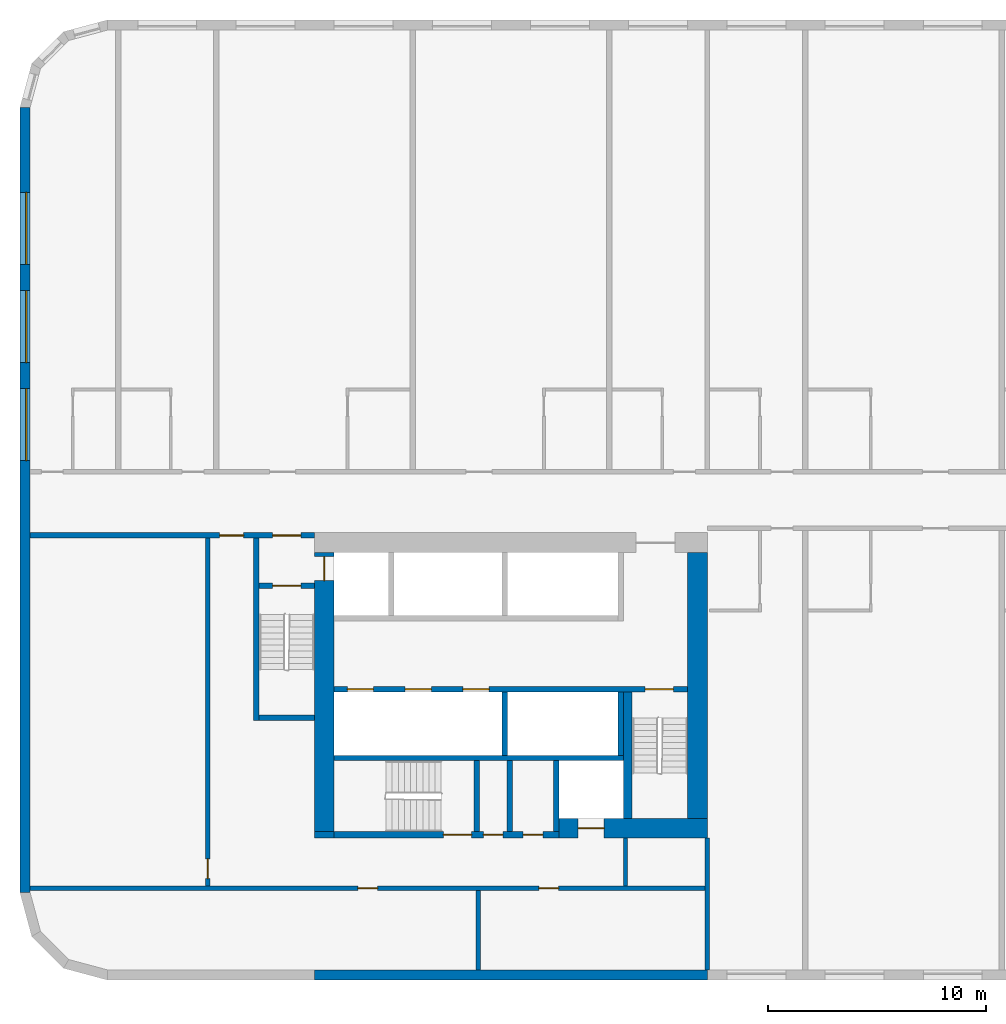
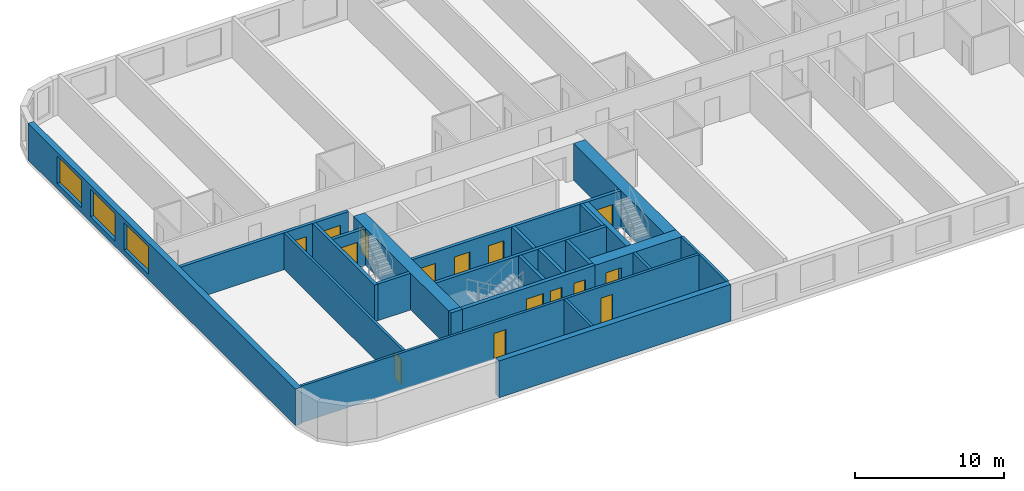
# One storey, part 2 of 12: 24 walls, 15 doors, 3 windows, 18 openings.
"""IFC4 building model written with IfcOpenShell, lengths in metres."""

from ifc_helpers import new_model, si_unit, direction, frame, frame_2d, origin, place, context, subcontext, project, spatial, rectangle, extrude, material, layer, layer_set, type_object, element, fill, save


model = new_model("IFC4")

# Units and contexts
model_context = context("Model", 3, precision=1e-05, world=origin(), true_north=direction((0.0, 1.0)))
body_context = subcontext(model_context, "Body", "Model", "MODEL_VIEW")
ifc_project = project(units=[si_unit("LENGTHUNIT", "METRE"), si_unit("AREAUNIT", "SQUARE_METRE"), si_unit("VOLUMEUNIT", "CUBIC_METRE"), si_unit("PLANEANGLEUNIT", "RADIAN"), si_unit("MASSUNIT", "GRAM", prefix="KILO")], contexts=[model_context])

# Site, building, storey
site_placement = place(None, origin())
site = spatial("IfcSite", under=ifc_project, at=site_placement, CompositionType="ELEMENT")
building_placement = place(site_placement, origin())
building = spatial("IfcBuilding", under=site, at=building_placement, Name="Kajstack Hotel Tower", CompositionType="ELEMENT")
storey_placement = place(building_placement, frame((0.0, 0.0, 63.300048828125)))
storey = spatial("IfcBuildingStorey", under=building, at=storey_placement, Name="L10", CompositionType="ELEMENT", Elevation=63.300048828125)

# Wall, opening, door
ifc_material_1 = material(Name="Concrete C60/75", Category="concrete")
ifc_layer_1 = layer(ifc_material_1, 0.89990234375)
ifc_layer_set_1 = layer_set([ifc_layer_1], Name="Core wall 900")
wall_type_1 = type_object("IfcWallType", Name="Core wall 900", PredefinedType="SHEAR", material=ifc_layer_set_1)
wall_1_placement = place(storey_placement, frame((-20.300048828125, -15.050048828125, 0.0), z_axis=(0.0, 0.0, 1.0), x_axis=(1.0, 0.0, 0.0)))
wall_1 = element("IfcWall", 1, at=wall_1_placement, inside=storey, type_object=wall_type_1, Name="Core wall W RS", PredefinedType="SHEAR", context=body_context, shape_type="SweptSolid", body=[
    extrude(rectangle(XDim=6.800048828125, YDim=0.89990234375, at=frame_2d((3.39990234375, 0.0))), origin(), (0.0, 0.0, 1.0), 3.02001953125),
])
opening_1_placement = place(wall_1_placement, frame((0.875, 0.0, 0.0)))
opening_1 = element("IfcOpeningElement", 2, at=opening_1_placement, cuts=wall_1, Name="Opening LD-SV1", PredefinedType="OPENING", context=body_context, shape_type="SweptSolid", body=[
    extrude(rectangle(XDim=1.199951171875, YDim=2.10009765625, at=frame_2d((0.60009765625, 1.050048828125))), frame((0.0, 0.4599609375, 0.0), z_axis=(0.0, -1.0, 0.0), x_axis=(1.0, 0.0, 0.0)), (0.0, 0.0, 1.0), 0.919921875),
])
ifc_material_2 = material(Name="Stainless steel", Category="steel")
door_type_1 = type_object("IfcDoorType", Name="Lift landing door 1200", OperationType="SLIDING_TO_LEFT", PredefinedType="DOOR", material=ifc_material_2)
door_1_placement = place(opening_1_placement, origin())
door_1 = element("IfcDoor", 3, at=door_1_placement, inside=storey, type_object=door_type_1, Name="Landing door SV1", OperationType="SLIDING_TO_LEFT", OverallHeight=2.10009765625, OverallWidth=1.199951171875, PredefinedType="DOOR", context=body_context, shape_type="SweptSolid", body=[
    extrude(rectangle(XDim=1.199951171875, YDim=2.10009765625, at=frame_2d((0.60009765625, 1.050048828125))), frame((0.0, 0.02490234375, 0.0), z_axis=(0.0, -1.0, 0.0), x_axis=(1.0, 0.0, 0.0)), (0.0, 0.0, 1.0), 0.050048828125),
])
fill(opening_1, door_1)

# Wall
wall_2_placement = place(storey_placement, frame((-31.5, -15.35009765625, 0.0), z_axis=(0.0, 0.0, 1.0), x_axis=(1.0, 0.0, 0.0)))
element("IfcWall", 4, at=wall_2_placement, inside=storey, type_object=wall_type_1, Name="Core wall W RSW", PredefinedType="SHEAR", context=body_context, shape_type="SweptSolid", body=[
    extrude(rectangle(XDim=0.89990234375, YDim=0.300048828125, at=frame_2d((0.449951171875, 0.0))), origin(), (0.0, 0.0, 1.0), 3.02001953125),
])

# Wall, opening, door
wall_3_placement = place(storey_placement, frame((-31.050048828125, -15.199951171875, 0.0), z_axis=(0.0, 0.0, 1.0), x_axis=(0.0, 1.0, 0.0)))
wall_3 = element("IfcWall", 5, at=wall_3_placement, inside=storey, type_object=wall_type_1, Name="Core wall W RW", PredefinedType="SHEAR", context=body_context, shape_type="SweptSolid", body=[
    extrude(rectangle(XDim=12.800048828125, YDim=0.89990234375, at=frame_2d((6.39990234375, 0.0))), origin(), (0.0, 0.0, 1.0), 3.02001953125),
])
opening_2_placement = place(wall_3_placement, frame((11.5, 0.0, 0.0)))
opening_2 = element("IfcOpeningElement", 6, at=opening_2_placement, cuts=wall_3, Name="Opening LD-FF1", PredefinedType="OPENING", context=body_context, shape_type="SweptSolid", body=[
    extrude(rectangle(XDim=1.10009765625, YDim=2.10009765625, at=frame_2d((0.550048828125, 1.050048828125))), frame((0.0, 0.4599609375, 0.0), z_axis=(0.0, -1.0, 0.0), x_axis=(1.0, 0.0, 0.0)), (0.0, 0.0, 1.0), 0.919921875),
])
door_type_2 = type_object("IfcDoorType", Name="Fire-fighting lift landing door 1100", OperationType="SLIDING_TO_LEFT", PredefinedType="DOOR", material=ifc_material_2)
door_2_placement = place(opening_2_placement, origin())
door_2 = element("IfcDoor", 7, at=door_2_placement, inside=storey, type_object=door_type_2, Name="Landing door FF1", OperationType="SLIDING_TO_RIGHT", OverallHeight=2.10009765625, OverallWidth=1.10009765625, PredefinedType="DOOR", context=body_context, shape_type="SweptSolid", body=[
    extrude(rectangle(XDim=1.10009765625, YDim=2.10009765625, at=frame_2d((0.550048828125, 1.050048828125))), frame((0.0, 0.02490234375, 0.0), z_axis=(0.0, -1.0, 0.0), x_axis=(1.0, 0.0, 0.0)), (0.0, 0.0, 1.0), 0.050048828125),
])
fill(opening_2, door_2)

# Walls
wall_4_placement = place(storey_placement, frame((-13.949951171875, -14.60009765625, 0.0), z_axis=(0.0, 0.0, 1.0), x_axis=(0.0, 1.0, 0.0)))
element("IfcWall", 8, at=wall_4_placement, inside=storey, type_object=wall_type_1, Name="Core wall W RE", PredefinedType="SHEAR", context=body_context, shape_type="SweptSolid", body=[
    extrude(rectangle(XDim=12.2001953125, YDim=0.89990234375, at=frame_2d((6.10009765625, 0.0))), origin(), (0.0, 0.0, 1.0), 3.02001953125),
])
ifc_material_3 = material(Name="Twin-frame gypsum board on steel studs, mineral wool", Category="steel")
ifc_layer_2 = layer(ifc_material_3, 0.199951171875)
ifc_layer_set_2 = layer_set([ifc_layer_2], Name="Demising wall 200")
wall_type_2 = type_object("IfcWallType", Name="Demising wall 200", PredefinedType="PARTITIONING", material=ifc_layer_set_2)
wall_5_placement = place(storey_placement, frame((-13.5, -21.550048828125, 0.0), z_axis=(0.0, 0.0, 1.0), x_axis=(0.0, 1.0, 0.0)))
element("IfcWall", 9, at=wall_5_placement, inside=storey, type_object=wall_type_2, Name="G-wall-L10-002", PredefinedType="PARTITIONING", context=body_context, shape_type="SweptSolid", body=[
    extrude(rectangle(XDim=6.050048828125, YDim=0.199951171875, at=frame_2d((3.02490234375, 0.0))), origin(), (0.0, 0.0, 1.0), 3.02001953125),
])
ifc_material_4 = material(Name="Concrete C40/50", Category="concrete")
ifc_layer_3 = layer(ifc_material_4, 0.449951171875)
ifc_layer_set_3 = layer_set([ifc_layer_3], Name="EW-CORE")
wall_type_3 = type_object("IfcWallType", Name="EW-CORE", PredefinedType="SOLIDWALL", material=ifc_layer_set_3)
wall_6_placement = place(storey_placement, frame((-31.5, -21.77490234375, 0.0), z_axis=(0.0, 0.0, 1.0), x_axis=(1.0, 0.0, 0.0)))
element("IfcWall", 10, at=wall_6_placement, inside=storey, type_object=wall_type_3, Name="E-wall-L10-03-01", PredefinedType="SOLIDWALL", context=body_context, shape_type="SweptSolid", body=[
    extrude(rectangle(XDim=18.0, YDim=0.449951171875, at=frame_2d((9.0, 0.0))), origin(), (0.0, 0.0, 1.0), 3.02001953125),
])

# Wall, openings, windows
ifc_material_5 = material(Name="Terracotta-faced brick masonry", Category="masonry")
ifc_layer_4 = layer(ifc_material_5, 0.449951171875)
ifc_layer_set_4 = layer_set([ifc_layer_4], Name="EW-TERRA")
wall_type_4 = type_object("IfcWallType", Name="EW-TERRA", PredefinedType="SOLIDWALL", material=ifc_layer_set_4)
wall_7_placement = place(storey_placement, frame((-44.77490234375, 18.0, 0.0), z_axis=(0.0, 0.0, 1.0), x_axis=(0.0, -1.0, 0.0)))
wall_7 = element("IfcWall", 11, at=wall_7_placement, inside=storey, type_object=wall_type_4, Name="E-wall-L10-15-00", PredefinedType="SOLIDWALL", context=body_context, shape_type="SweptSolid", body=[
    extrude(rectangle(XDim=36.0, YDim=0.449951171875, at=frame_2d((18.0, 0.0))), origin(), (0.0, 0.0, 1.0), 3.02001953125),
])
opening_3_placement = place(wall_7_placement, frame((3.89990234375, 0.0, 0.449951171875)))
opening_3 = element("IfcOpeningElement", 12, at=opening_3_placement, cuts=wall_7, Name="Opening W2", PredefinedType="OPENING", context=body_context, shape_type="SweptSolid", body=[
    extrude(rectangle(XDim=3.300048828125, YDim=2.25, at=frame_2d((1.64990234375, 1.125))), frame((0.0, 0.23486328125, 0.0), z_axis=(0.0, -1.0, 0.0), x_axis=(1.0, 0.0, 0.0)), (0.0, 0.0, 1.0), 0.469970703125),
])
opening_4_placement = place(wall_7_placement, frame((8.39990234375, 0.0, 0.449951171875)))
opening_4 = element("IfcOpeningElement", 13, at=opening_4_placement, cuts=wall_7, Name="Opening W2", PredefinedType="OPENING", context=body_context, shape_type="SweptSolid", body=[
    extrude(rectangle(XDim=3.300048828125, YDim=2.25, at=frame_2d((1.64990234375, 1.125))), frame((0.0, 0.23486328125, 0.0), z_axis=(0.0, -1.0, 0.0), x_axis=(1.0, 0.0, 0.0)), (0.0, 0.0, 1.0), 0.469970703125),
])
opening_5_placement = place(wall_7_placement, frame((12.89990234375, 0.0, 0.449951171875)))
opening_5 = element("IfcOpeningElement", 14, at=opening_5_placement, cuts=wall_7, Name="Opening W2", PredefinedType="OPENING", context=body_context, shape_type="SweptSolid", body=[
    extrude(rectangle(XDim=3.300048828125, YDim=2.25, at=frame_2d((1.64990234375, 1.125))), frame((0.0, 0.23486328125, 0.0), z_axis=(0.0, -1.0, 0.0), x_axis=(1.0, 0.0, 0.0)), (0.0, 0.0, 1.0), 0.469970703125),
])
ifc_material_6 = material(Name="Timber-aluminium window, triple glazed", Category="wood")
window_type = type_object("IfcWindowType", Name="WG2", PartitioningType="SINGLE_PANEL", PredefinedType="WINDOW", material=ifc_material_6)
window_1_placement = place(opening_3_placement, origin())
window_1 = element("IfcWindow", 15, at=window_1_placement, inside=storey, type_object=window_type, Name="Window W2 L10-15", OverallHeight=2.25, OverallWidth=3.300048828125, PartitioningType="SINGLE_PANEL", PredefinedType="WINDOW", context=body_context, shape_type="SweptSolid", body=[
    extrude(rectangle(XDim=3.300048828125, YDim=2.25, at=frame_2d((1.64990234375, 1.125))), frame((0.0, 0.090087890625, 0.0), z_axis=(0.0, -1.0, 0.0), x_axis=(1.0, 0.0, 0.0)), (0.0, 0.0, 1.0), 0.06005859375),
])
fill(opening_3, window_1)
window_2_placement = place(opening_4_placement, origin())
window_2 = element("IfcWindow", 16, at=window_2_placement, inside=storey, type_object=window_type, Name="Window W2 L10-15", OverallHeight=2.25, OverallWidth=3.300048828125, PartitioningType="SINGLE_PANEL", PredefinedType="WINDOW", context=body_context, shape_type="SweptSolid", body=[
    extrude(rectangle(XDim=3.300048828125, YDim=2.25, at=frame_2d((1.64990234375, 1.125))), frame((0.0, 0.090087890625, 0.0), z_axis=(0.0, -1.0, 0.0), x_axis=(1.0, 0.0, 0.0)), (0.0, 0.0, 1.0), 0.06005859375),
])
fill(opening_4, window_2)
window_3_placement = place(opening_5_placement, origin())
window_3 = element("IfcWindow", 17, at=window_3_placement, inside=storey, type_object=window_type, Name="Window W2 L10-15", OverallHeight=2.25, OverallWidth=3.300048828125, PartitioningType="SINGLE_PANEL", PredefinedType="WINDOW", context=body_context, shape_type="SweptSolid", body=[
    extrude(rectangle(XDim=3.300048828125, YDim=2.25, at=frame_2d((1.64990234375, 1.125))), frame((0.0, 0.090087890625, 0.0), z_axis=(0.0, -1.0, 0.0), x_axis=(1.0, 0.0, 0.0)), (0.0, 0.0, 1.0), 0.06005859375),
])
fill(opening_5, window_3)

# Walls
ifc_material_7 = material(Name="Concrete C50/60", Category="concrete")
ifc_layer_5 = layer(ifc_material_7, 0.300048828125)
ifc_layer_set_5 = layer_set([ifc_layer_5], Name="Hoistway divider wall 300")
wall_type_5 = type_object("IfcWallType", Name="Hoistway divider wall 300", PredefinedType="SHEAR", material=ifc_layer_set_5)
wall_8_placement = place(storey_placement, frame((-22.77490234375, -11.699951171875, 0.0), z_axis=(0.0, 0.0, 1.0), x_axis=(0.0, 1.0, 0.0)))
element("IfcWall", 18, at=wall_8_placement, inside=storey, type_object=wall_type_5, Name="Core wall W BP2", PredefinedType="SHEAR", context=body_context, shape_type="SweptSolid", body=[
    extrude(rectangle(XDim=2.89990234375, YDim=0.25, at=frame_2d((1.449951171875, 0.0))), origin(), (0.0, 0.0, 1.0), 3.02001953125),
])
ifc_material_8 = material(Name="Concrete block masonry", Category="masonry")
ifc_layer_6 = layer(ifc_material_8, 0.25)
ifc_layer_set_6 = layer_set([ifc_layer_6], Name="Riser partition 250")
wall_type_6 = type_object("IfcWallType", Name="Riser partition 250", PredefinedType="PARTITIONING", material=ifc_layer_set_6)
wall_9_placement = place(storey_placement, frame((-22.550048828125, -15.199951171875, 0.0), z_axis=(0.0, 0.0, 1.0), x_axis=(0.0, 1.0, 0.0)))
element("IfcWall", 19, at=wall_9_placement, inside=storey, type_object=wall_type_6, Name="Partition W SZ0", PredefinedType="PARTITIONING", context=body_context, shape_type="SweptSolid", body=[
    extrude(rectangle(XDim=3.25, YDim=0.25, at=frame_2d((1.625, 0.0))), origin(), (0.0, 0.0, 1.0), 3.02001953125),
])

# Wall, openings, doors
ifc_material_9 = material(Name="Gypsum board on steel studs, mineral wool", Category="steel")
ifc_layer_7 = layer(ifc_material_9, 0.199951171875)
ifc_layer_set_7 = layer_set([ifc_layer_7], Name="Service partition 200")
wall_type_7 = type_object("IfcWallType", Name="Service partition 200", PredefinedType="PARTITIONING", material=ifc_layer_set_7)
wall_10_placement = place(storey_placement, frame((-44.550048828125, -1.625, 0.0), z_axis=(0.0, 0.0, 1.0), x_axis=(1.0, 0.0, 0.0)))
wall_10 = element("IfcWall", 20, at=wall_10_placement, inside=storey, type_object=wall_type_7, Name="Partition W SN", PredefinedType="PARTITIONING", context=body_context, shape_type="SweptSolid", body=[
    extrude(rectangle(XDim=13.050048828125, YDim=0.25, at=frame_2d((6.52490234375, 0.0))), origin(), (0.0, 0.0, 1.0), 3.02001953125),
])
opening_6_placement = place(wall_10_placement, frame((11.125, 0.0, 0.0)))
opening_6 = element("IfcOpeningElement", 21, at=opening_6_placement, cuts=wall_10, Name="Opening 10W07", PredefinedType="OPENING", context=body_context, shape_type="SweptSolid", body=[
    extrude(rectangle(XDim=1.300048828125, YDim=2.10009765625, at=frame_2d((0.64990234375, 1.050048828125))), frame((0.0, 0.135009765625, 0.0), z_axis=(0.0, -1.0, 0.0), x_axis=(1.0, 0.0, 0.0)), (0.0, 0.0, 1.0), 0.27001953125),
])
opening_7_placement = place(wall_10_placement, frame((8.699951171875, 0.0, 0.0)))
opening_7 = element("IfcOpeningElement", 22, at=opening_7_placement, cuts=wall_10, Name="Opening 10W09", PredefinedType="OPENING", context=body_context, shape_type="SweptSolid", body=[
    extrude(rectangle(XDim=1.10009765625, YDim=2.10009765625, at=frame_2d((0.550048828125, 1.050048828125))), frame((0.0, 0.135009765625, 0.0), z_axis=(0.0, -1.0, 0.0), x_axis=(1.0, 0.0, 0.0)), (0.0, 0.0, 1.0), 0.27001953125),
])
ifc_material_10 = material(Name="Steel leaf, fire-rated", Category="steel")
door_type_3 = type_object("IfcDoorType", Name="Fire lobby door 1300", OperationType="SINGLE_SWING_LEFT", PredefinedType="DOOR", material=ifc_material_10)
door_3_placement = place(opening_6_placement, origin())
door_3 = element("IfcDoor", 23, at=door_3_placement, inside=storey, type_object=door_type_3, Name="Door 10W07", OperationType="SINGLE_SWING_RIGHT", OverallHeight=2.10009765625, OverallWidth=1.300048828125, PredefinedType="DOOR", context=body_context, shape_type="SweptSolid", body=[
    extrude(rectangle(XDim=1.300048828125, YDim=2.10009765625, at=frame_2d((0.64990234375, 1.050048828125))), frame((0.0, 0.02490234375, 0.0), z_axis=(0.0, -1.0, 0.0), x_axis=(1.0, 0.0, 0.0)), (0.0, 0.0, 1.0), 0.050048828125),
])
fill(opening_6, door_3)
ifc_material_11 = material(Name="Timber leaf, fire-rated", Category="wood")
door_type_4 = type_object("IfcDoorType", Name="Service corridor door 1100", OperationType="SINGLE_SWING_LEFT", PredefinedType="DOOR", material=ifc_material_11)
door_4_placement = place(opening_7_placement, origin())
door_4 = element("IfcDoor", 24, at=door_4_placement, inside=storey, type_object=door_type_4, Name="Door 10W09", OperationType="SINGLE_SWING_RIGHT", OverallHeight=2.10009765625, OverallWidth=1.10009765625, PredefinedType="DOOR", context=body_context, shape_type="SweptSolid", body=[
    extrude(rectangle(XDim=1.10009765625, YDim=2.10009765625, at=frame_2d((0.550048828125, 1.050048828125))), frame((0.0, 0.02490234375, 0.0), z_axis=(0.0, -1.0, 0.0), x_axis=(1.0, 0.0, 0.0)), (0.0, 0.0, 1.0), 0.050048828125),
])
fill(opening_7, door_4)

# Wall
wall_11_placement = place(storey_placement, frame((-17.25, -17.699951171875, 0.0), z_axis=(0.0, 0.0, 1.0), x_axis=(0.0, 1.0, 0.0)))
element("IfcWall", 25, at=wall_11_placement, inside=storey, type_object=wall_type_7, Name="Partition W SCE", PredefinedType="PARTITIONING", context=body_context, shape_type="SweptSolid", body=[
    extrude(rectangle(XDim=2.199951171875, YDim=0.199951171875, at=frame_2d((1.10009765625, 0.0))), origin(), (0.0, 0.0, 1.0), 3.02001953125),
])

# Wall, opening, door
wall_12_placement = place(storey_placement, frame((-36.39990234375, -17.699951171875, 0.0), z_axis=(0.0, 0.0, 1.0), x_axis=(0.0, 1.0, 0.0)))
wall_12 = element("IfcWall", 26, at=wall_12_placement, inside=storey, type_object=wall_type_7, Name="Partition W WRE", PredefinedType="PARTITIONING", context=body_context, shape_type="SweptSolid", body=[
    extrude(rectangle(XDim=15.949951171875, YDim=0.199951171875, at=frame_2d((7.97509765625, 0.0))), origin(), (0.0, 0.0, 1.0), 3.02001953125),
])
opening_8_placement = place(wall_12_placement, frame((0.35009765625, 0.0, 0.0)))
opening_8 = element("IfcOpeningElement", 27, at=opening_8_placement, cuts=wall_12, Name="Opening 10W16", PredefinedType="OPENING", context=body_context, shape_type="SweptSolid", body=[
    extrude(rectangle(XDim=0.89990234375, YDim=2.10009765625, at=frame_2d((0.449951171875, 1.050048828125))), frame((0.0, 0.10986328125, 0.0), z_axis=(0.0, -1.0, 0.0), x_axis=(1.0, 0.0, 0.0)), (0.0, 0.0, 1.0), 0.219970703125),
])
door_type_5 = type_object("IfcDoorType", Name="Service door 900", OperationType="SINGLE_SWING_LEFT", PredefinedType="DOOR", material=ifc_material_11)
door_5_placement = place(opening_8_placement, origin())
door_5 = element("IfcDoor", 28, at=door_5_placement, inside=storey, type_object=door_type_5, Name="Door 10W16", OperationType="SINGLE_SWING_LEFT", OverallHeight=2.10009765625, OverallWidth=0.89990234375, PredefinedType="DOOR", context=body_context, shape_type="SweptSolid", body=[
    extrude(rectangle(XDim=0.89990234375, YDim=2.10009765625, at=frame_2d((0.449951171875, 1.050048828125))), frame((0.0, 0.02490234375, 0.0), z_axis=(0.0, -1.0, 0.0), x_axis=(1.0, 0.0, 0.0)), (0.0, 0.0, 1.0), 0.050048828125),
])
fill(opening_8, door_5)

# Wall, openings, doors
wall_13_placement = place(storey_placement, frame((-44.550048828125, -17.800048828125, 0.0), z_axis=(0.0, 0.0, 1.0), x_axis=(1.0, 0.0, 0.0)))
wall_13 = element("IfcWall", 29, at=wall_13_placement, inside=storey, type_object=wall_type_7, Name="Partition W SLN", PredefinedType="PARTITIONING", context=body_context, shape_type="SweptSolid", body=[
    extrude(rectangle(XDim=30.949951171875, YDim=0.199951171875, at=frame_2d((15.47509765625, 0.0))), origin(), (0.0, 0.0, 1.0), 3.02001953125),
])
opening_9_placement = place(wall_13_placement, frame((15.03759765625, 0.0, 0.0)))
opening_9 = element("IfcOpeningElement", 30, at=opening_9_placement, cuts=wall_13, Name="Opening 10W14", PredefinedType="OPENING", context=body_context, shape_type="SweptSolid", body=[
    extrude(rectangle(XDim=0.89990234375, YDim=2.10009765625, at=frame_2d((0.449951171875, 1.050048828125))), frame((0.0, 0.10986328125, 0.0), z_axis=(0.0, -1.0, 0.0), x_axis=(1.0, 0.0, 0.0)), (0.0, 0.0, 1.0), 0.219970703125),
])
opening_10_placement = place(wall_13_placement, frame((23.33740234375, 0.0, 0.0)))
opening_10 = element("IfcOpeningElement", 31, at=opening_10_placement, cuts=wall_13, Name="Opening 10W15", PredefinedType="OPENING", context=body_context, shape_type="SweptSolid", body=[
    extrude(rectangle(XDim=0.89990234375, YDim=2.10009765625, at=frame_2d((0.449951171875, 1.050048828125))), frame((0.0, 0.10986328125, 0.0), z_axis=(0.0, -1.0, 0.0), x_axis=(1.0, 0.0, 0.0)), (0.0, 0.0, 1.0), 0.219970703125),
])
door_6_placement = place(opening_9_placement, origin())
door_6 = element("IfcDoor", 32, at=door_6_placement, inside=storey, type_object=door_type_5, Name="Door 10W14", OperationType="SINGLE_SWING_RIGHT", OverallHeight=2.10009765625, OverallWidth=0.89990234375, PredefinedType="DOOR", context=body_context, shape_type="SweptSolid", body=[
    extrude(rectangle(XDim=0.89990234375, YDim=2.10009765625, at=frame_2d((0.449951171875, 1.050048828125))), frame((0.0, 0.02490234375, 0.0), z_axis=(0.0, -1.0, 0.0), x_axis=(1.0, 0.0, 0.0)), (0.0, 0.0, 1.0), 0.050048828125),
])
fill(opening_9, door_6)
door_7_placement = place(opening_10_placement, origin())
door_7 = element("IfcDoor", 33, at=door_7_placement, inside=storey, type_object=door_type_5, Name="Door 10W15", OperationType="SINGLE_SWING_RIGHT", OverallHeight=2.10009765625, OverallWidth=0.89990234375, PredefinedType="DOOR", context=body_context, shape_type="SweptSolid", body=[
    extrude(rectangle(XDim=0.89990234375, YDim=2.10009765625, at=frame_2d((0.449951171875, 1.050048828125))), frame((0.0, 0.02490234375, 0.0), z_axis=(0.0, -1.0, 0.0), x_axis=(1.0, 0.0, 0.0)), (0.0, 0.0, 1.0), 0.050048828125),
])
fill(opening_10, door_7)

# Wall
wall_14_placement = place(storey_placement, frame((-24.0, -21.550048828125, 0.0), z_axis=(0.0, 0.0, 1.0), x_axis=(0.0, 1.0, 0.0)))
element("IfcWall", 34, at=wall_14_placement, inside=storey, type_object=wall_type_7, Name="Partition W SLP0", PredefinedType="PARTITIONING", context=body_context, shape_type="SweptSolid", body=[
    extrude(rectangle(XDim=3.650146484375, YDim=0.199951171875, at=frame_2d((1.8251953125, 0.0))), origin(), (0.0, 0.0, 1.0), 3.02001953125),
])

# Wall, openings, doors
ifc_layer_8 = layer(ifc_material_7, 0.25)
ifc_layer_set_8 = layer_set([ifc_layer_8], Name="Shaft wall 250")
wall_type_8 = type_object("IfcWallType", Name="Shaft wall 250", PredefinedType="SHEAR", material=ifc_layer_set_8)
wall_15_placement = place(storey_placement, frame((-30.60009765625, -15.35009765625, 0.0), z_axis=(0.0, 0.0, 1.0), x_axis=(1.0, 0.0, 0.0)))
wall_15 = element("IfcWall", 35, at=wall_15_placement, inside=storey, type_object=wall_type_8, Name="Core wall W RSS", PredefinedType="SHEAR", context=body_context, shape_type="SweptSolid", body=[
    extrude(rectangle(XDim=10.300048828125, YDim=0.300048828125, at=frame_2d((5.14990234375, 0.0))), origin(), (0.0, 0.0, 1.0), 3.02001953125),
])
opening_11_placement = place(wall_15_placement, frame((5.0, 0.0, 0.0)))
opening_11 = element("IfcOpeningElement", 36, at=opening_11_placement, cuts=wall_15, Name="Opening 10W11", PredefinedType="OPENING", context=body_context, shape_type="SweptSolid", body=[
    extrude(rectangle(XDim=1.300048828125, YDim=2.10009765625, at=frame_2d((0.64990234375, 1.050048828125))), frame((0.0, 0.159912109375, 0.0), z_axis=(0.0, -1.0, 0.0), x_axis=(1.0, 0.0, 0.0)), (0.0, 0.0, 1.0), 0.320068359375),
])
opening_12_placement = place(wall_15_placement, frame((6.83740234375, 0.0, 0.0)))
opening_12 = element("IfcOpeningElement", 37, at=opening_12_placement, cuts=wall_15, Name="Opening 10W12", PredefinedType="OPENING", context=body_context, shape_type="SweptSolid", body=[
    extrude(rectangle(XDim=0.89990234375, YDim=2.10009765625, at=frame_2d((0.449951171875, 1.050048828125))), frame((0.0, 0.159912109375, 0.0), z_axis=(0.0, -1.0, 0.0), x_axis=(1.0, 0.0, 0.0)), (0.0, 0.0, 1.0), 0.320068359375),
])
opening_13_placement = place(wall_15_placement, frame((8.66259765625, 0.0, 0.0)))
opening_13 = element("IfcOpeningElement", 38, at=opening_13_placement, cuts=wall_15, Name="Opening 10W13", PredefinedType="OPENING", context=body_context, shape_type="SweptSolid", body=[
    extrude(rectangle(XDim=0.89990234375, YDim=2.10009765625, at=frame_2d((0.449951171875, 1.050048828125))), frame((0.0, 0.159912109375, 0.0), z_axis=(0.0, -1.0, 0.0), x_axis=(1.0, 0.0, 0.0)), (0.0, 0.0, 1.0), 0.320068359375),
])
door_type_6 = type_object("IfcDoorType", Name="Riser door 900", OperationType="SINGLE_SWING_LEFT", PredefinedType="DOOR", material=ifc_material_10)
door_8_placement = place(opening_13_placement, origin())
door_8 = element("IfcDoor", 39, at=door_8_placement, inside=storey, type_object=door_type_6, Name="Door 10W13", OperationType="SINGLE_SWING_LEFT", OverallHeight=2.10009765625, OverallWidth=0.89990234375, PredefinedType="DOOR", context=body_context, shape_type="SweptSolid", body=[
    extrude(rectangle(XDim=0.89990234375, YDim=2.10009765625, at=frame_2d((0.449951171875, 1.050048828125))), frame((0.0, 0.02490234375, 0.0), z_axis=(0.0, -1.0, 0.0), x_axis=(1.0, 0.0, 0.0)), (0.0, 0.0, 1.0), 0.050048828125),
])
fill(opening_13, door_8)
door_9_placement = place(opening_12_placement, origin())
door_9 = element("IfcDoor", 40, at=door_9_placement, inside=storey, type_object=door_type_5, Name="Door 10W12", OperationType="SINGLE_SWING_LEFT", OverallHeight=2.10009765625, OverallWidth=0.89990234375, PredefinedType="DOOR", context=body_context, shape_type="SweptSolid", body=[
    extrude(rectangle(XDim=0.89990234375, YDim=2.10009765625, at=frame_2d((0.449951171875, 1.050048828125))), frame((0.0, 0.02490234375, 0.0), z_axis=(0.0, -1.0, 0.0), x_axis=(1.0, 0.0, 0.0)), (0.0, 0.0, 1.0), 0.050048828125),
])
fill(opening_12, door_9)
door_type_7 = type_object("IfcDoorType", Name="Stair door 1300", OperationType="SINGLE_SWING_LEFT", PredefinedType="DOOR", material=ifc_material_10)
door_10_placement = place(opening_11_placement, origin())
door_10 = element("IfcDoor", 41, at=door_10_placement, inside=storey, type_object=door_type_7, Name="Door 10W11", OperationType="SINGLE_SWING_RIGHT", OverallHeight=2.10009765625, OverallWidth=1.300048828125, PredefinedType="DOOR", context=body_context, shape_type="SweptSolid", body=[
    extrude(rectangle(XDim=1.300048828125, YDim=2.10009765625, at=frame_2d((0.64990234375, 1.050048828125))), frame((0.0, 0.02490234375, 0.0), z_axis=(0.0, -1.0, 0.0), x_axis=(1.0, 0.0, 0.0)), (0.0, 0.0, 1.0), 0.050048828125),
])
fill(opening_11, door_10)

wall_16_placement = place(storey_placement, frame((-30.60009765625, -8.675048828125, 0.0), z_axis=(0.0, 0.0, 1.0), x_axis=(1.0, 0.0, 0.0)))
wall_16 = element("IfcWall", 42, at=wall_16_placement, inside=storey, type_object=wall_type_8, Name="Core wall W FB", PredefinedType="SHEAR", context=body_context, shape_type="SweptSolid", body=[
    extrude(rectangle(XDim=16.2001953125, YDim=0.25, at=frame_2d((8.10009765625, 0.0))), origin(), (0.0, 0.0, 1.0), 3.02001953125),
])
opening_14_placement = place(wall_16_placement, frame((0.60009765625, 0.0, 0.0)))
opening_14 = element("IfcOpeningElement", 43, at=opening_14_placement, cuts=wall_16, Name="Opening LD-LR1", PredefinedType="OPENING", context=body_context, shape_type="SweptSolid", body=[
    extrude(rectangle(XDim=1.199951171875, YDim=2.10009765625, at=frame_2d((0.60009765625, 1.050048828125))), frame((0.0, 0.135009765625, 0.0), z_axis=(0.0, -1.0, 0.0), x_axis=(1.0, 0.0, 0.0)), (0.0, 0.0, 1.0), 0.27001953125),
])
opening_15_placement = place(wall_16_placement, frame((3.25, 0.0, 0.0)))
opening_15 = element("IfcOpeningElement", 44, at=opening_15_placement, cuts=wall_16, Name="Opening LD-LR2", PredefinedType="OPENING", context=body_context, shape_type="SweptSolid", body=[
    extrude(rectangle(XDim=1.199951171875, YDim=2.10009765625, at=frame_2d((0.60009765625, 1.050048828125))), frame((0.0, 0.135009765625, 0.0), z_axis=(0.0, -1.0, 0.0), x_axis=(1.0, 0.0, 0.0)), (0.0, 0.0, 1.0), 0.27001953125),
])
opening_16_placement = place(wall_16_placement, frame((5.89990234375, 0.0, 0.0)))
opening_16 = element("IfcOpeningElement", 45, at=opening_16_placement, cuts=wall_16, Name="Opening LD-LR3", PredefinedType="OPENING", context=body_context, shape_type="SweptSolid", body=[
    extrude(rectangle(XDim=1.199951171875, YDim=2.10009765625, at=frame_2d((0.60009765625, 1.050048828125))), frame((0.0, 0.135009765625, 0.0), z_axis=(0.0, -1.0, 0.0), x_axis=(1.0, 0.0, 0.0)), (0.0, 0.0, 1.0), 0.27001953125),
])
opening_17_placement = place(wall_16_placement, frame((14.25, 0.0, 0.0)))
opening_17 = element("IfcOpeningElement", 46, at=opening_17_placement, cuts=wall_16, Name="Opening 10W10", PredefinedType="OPENING", context=body_context, shape_type="SweptSolid", body=[
    extrude(rectangle(XDim=1.300048828125, YDim=2.10009765625, at=frame_2d((0.64990234375, 1.050048828125))), frame((0.0, 0.135009765625, 0.0), z_axis=(0.0, -1.0, 0.0), x_axis=(1.0, 0.0, 0.0)), (0.0, 0.0, 1.0), 0.27001953125),
])
door_11_placement = place(opening_14_placement, origin())
door_11 = element("IfcDoor", 47, at=door_11_placement, inside=storey, type_object=door_type_1, Name="Landing door LR1", OperationType="SLIDING_TO_LEFT", OverallHeight=2.10009765625, OverallWidth=1.199951171875, PredefinedType="DOOR", context=body_context, shape_type="SweptSolid", body=[
    extrude(rectangle(XDim=1.199951171875, YDim=2.10009765625, at=frame_2d((0.60009765625, 1.050048828125))), frame((0.0, 0.02490234375, 0.0), z_axis=(0.0, -1.0, 0.0), x_axis=(1.0, 0.0, 0.0)), (0.0, 0.0, 1.0), 0.050048828125),
])
fill(opening_14, door_11)
door_12_placement = place(opening_15_placement, origin())
door_12 = element("IfcDoor", 48, at=door_12_placement, inside=storey, type_object=door_type_1, Name="Landing door LR2", OperationType="SLIDING_TO_RIGHT", OverallHeight=2.10009765625, OverallWidth=1.199951171875, PredefinedType="DOOR", context=body_context, shape_type="SweptSolid", body=[
    extrude(rectangle(XDim=1.199951171875, YDim=2.10009765625, at=frame_2d((0.60009765625, 1.050048828125))), frame((0.0, 0.02490234375, 0.0), z_axis=(0.0, -1.0, 0.0), x_axis=(1.0, 0.0, 0.0)), (0.0, 0.0, 1.0), 0.050048828125),
])
fill(opening_15, door_12)
door_13_placement = place(opening_16_placement, origin())
door_13 = element("IfcDoor", 49, at=door_13_placement, inside=storey, type_object=door_type_1, Name="Landing door LR3", OperationType="SLIDING_TO_RIGHT", OverallHeight=2.10009765625, OverallWidth=1.199951171875, PredefinedType="DOOR", context=body_context, shape_type="SweptSolid", body=[
    extrude(rectangle(XDim=1.199951171875, YDim=2.10009765625, at=frame_2d((0.60009765625, 1.050048828125))), frame((0.0, 0.02490234375, 0.0), z_axis=(0.0, -1.0, 0.0), x_axis=(1.0, 0.0, 0.0)), (0.0, 0.0, 1.0), 0.050048828125),
])
fill(opening_16, door_13)
door_14_placement = place(opening_17_placement, origin())
door_14 = element("IfcDoor", 50, at=door_14_placement, inside=storey, type_object=door_type_7, Name="Door 10W10", OperationType="SINGLE_SWING_RIGHT", OverallHeight=2.10009765625, OverallWidth=1.300048828125, PredefinedType="DOOR", context=body_context, shape_type="SweptSolid", body=[
    extrude(rectangle(XDim=1.300048828125, YDim=2.10009765625, at=frame_2d((0.64990234375, 1.050048828125))), frame((0.0, 0.02490234375, 0.0), z_axis=(0.0, -1.0, 0.0), x_axis=(1.0, 0.0, 0.0)), (0.0, 0.0, 1.0), 0.050048828125),
])
fill(opening_17, door_14)

# Walls
wall_17_placement = place(storey_placement, frame((-30.60009765625, -11.824951171875, 0.0), z_axis=(0.0, 0.0, 1.0), x_axis=(1.0, 0.0, 0.0)))
element("IfcWall", 51, at=wall_17_placement, inside=storey, type_object=wall_type_8, Name="Core wall W RB", PredefinedType="SHEAR", context=body_context, shape_type="SweptSolid", body=[
    extrude(rectangle(XDim=13.25, YDim=0.25, at=frame_2d((6.625, 0.0))), origin(), (0.0, 0.0, 1.0), 3.02001953125),
])
wall_18_placement = place(storey_placement, frame((-17.47509765625, -11.699951171875, 0.0), z_axis=(0.0, 0.0, 1.0), x_axis=(0.0, 1.0, 0.0)))
element("IfcWall", 52, at=wall_18_placement, inside=storey, type_object=wall_type_8, Name="Core wall W BE", PredefinedType="SHEAR", context=body_context, shape_type="SweptSolid", body=[
    extrude(rectangle(XDim=2.89990234375, YDim=0.25, at=frame_2d((1.449951171875, 0.0))), origin(), (0.0, 0.0, 1.0), 3.02001953125),
])
wall_19_placement = place(storey_placement, frame((-20.425048828125, -15.199951171875, 0.0), z_axis=(0.0, 0.0, 1.0), x_axis=(0.0, 1.0, 0.0)))
element("IfcWall", 53, at=wall_19_placement, inside=storey, type_object=wall_type_8, Name="Core wall W SVW", PredefinedType="SHEAR", context=body_context, shape_type="SweptSolid", body=[
    extrude(rectangle(XDim=3.25, YDim=0.25, at=frame_2d((1.625, 0.0))), origin(), (0.0, 0.0, 1.0), 3.02001953125),
])

# Wall, opening, door
ifc_layer_9 = layer(ifc_material_4, 0.25)
ifc_layer_set_9 = layer_set([ifc_layer_9], Name="Stair enclosure wall 250")
wall_type_9 = type_object("IfcWallType", Name="Stair enclosure wall 250", PredefinedType="SHEAR", material=ifc_layer_set_9)
wall_20_placement = place(storey_placement, frame((-34.050048828125, -3.925048828125, 0.0), z_axis=(0.0, 0.0, 1.0), x_axis=(1.0, 0.0, 0.0)))
wall_20 = element("IfcWall", 54, at=wall_20_placement, inside=storey, type_object=wall_type_9, Name="Core wall W W1N", PredefinedType="SHEAR", context=body_context, shape_type="SweptSolid", body=[
    extrude(rectangle(XDim=2.550048828125, YDim=0.25, at=frame_2d((1.27490234375, 0.0))), origin(), (0.0, 0.0, 1.0), 3.02001953125),
])
opening_18_placement = place(wall_20_placement, frame((0.625, 0.0, 0.0)))
opening_18 = element("IfcOpeningElement", 55, at=opening_18_placement, cuts=wall_20, Name="Opening 10W08", PredefinedType="OPENING", context=body_context, shape_type="SweptSolid", body=[
    extrude(rectangle(XDim=1.300048828125, YDim=2.10009765625, at=frame_2d((0.64990234375, 1.050048828125))), frame((0.0, 0.135009765625, 0.0), z_axis=(0.0, -1.0, 0.0), x_axis=(1.0, 0.0, 0.0)), (0.0, 0.0, 1.0), 0.27001953125),
])
door_15_placement = place(opening_18_placement, origin())
door_15 = element("IfcDoor", 56, at=door_15_placement, inside=storey, type_object=door_type_7, Name="Door 10W08", OperationType="SINGLE_SWING_RIGHT", OverallHeight=2.10009765625, OverallWidth=1.300048828125, PredefinedType="DOOR", context=body_context, shape_type="SweptSolid", body=[
    extrude(rectangle(XDim=1.300048828125, YDim=2.10009765625, at=frame_2d((0.64990234375, 1.050048828125))), frame((0.0, 0.02490234375, 0.0), z_axis=(0.0, -1.0, 0.0), x_axis=(1.0, 0.0, 0.0)), (0.0, 0.0, 1.0), 0.050048828125),
])
fill(opening_18, door_15)

# Walls
wall_21_placement = place(storey_placement, frame((-34.175048828125, -10.10009765625, 0.0), z_axis=(0.0, 0.0, 1.0), x_axis=(0.0, 1.0, 0.0)))
element("IfcWall", 57, at=wall_21_placement, inside=storey, type_object=wall_type_9, Name="Core wall W W1W", PredefinedType="SHEAR", context=body_context, shape_type="SweptSolid", body=[
    extrude(rectangle(XDim=8.35009765625, YDim=0.25, at=frame_2d((4.175048828125, 0.0))), origin(), (0.0, 0.0, 1.0), 3.02001953125),
])
wall_22_placement = place(storey_placement, frame((-34.050048828125, -9.97509765625, 0.0), z_axis=(0.0, 0.0, 1.0), x_axis=(1.0, 0.0, 0.0)))
element("IfcWall", 58, at=wall_22_placement, inside=storey, type_object=wall_type_9, Name="Core wall W W1S", PredefinedType="SHEAR", context=body_context, shape_type="SweptSolid", body=[
    extrude(rectangle(XDim=2.550048828125, YDim=0.25, at=frame_2d((1.27490234375, 0.0))), origin(), (0.0, 0.0, 1.0), 3.02001953125),
])
ifc_layer_10 = layer(ifc_material_7, 0.35009765625)
ifc_layer_set_10 = layer_set([ifc_layer_10], Name="Stair enclosure wall 350")
wall_type_10 = type_object("IfcWallType", Name="Stair enclosure wall 350", PredefinedType="SHEAR", material=ifc_layer_set_10)
wall_23_placement = place(storey_placement, frame((-24.074951171875, -15.199951171875, 0.0), z_axis=(0.0, 0.0, 1.0), x_axis=(0.0, 1.0, 0.0)))
element("IfcWall", 59, at=wall_23_placement, inside=storey, type_object=wall_type_10, Name="Core wall W W3E", PredefinedType="SHEAR", context=body_context, shape_type="SweptSolid", body=[
    extrude(rectangle(XDim=3.25, YDim=0.25, at=frame_2d((1.625, 0.0))), origin(), (0.0, 0.0, 1.0), 3.02001953125),
])
ifc_layer_11 = layer(ifc_material_7, 0.39990234375)
ifc_layer_set_11 = layer_set([ifc_layer_11], Name="Stair wall 400")
wall_type_11 = type_object("IfcWallType", Name="Stair wall 400", PredefinedType="SHEAR", material=ifc_layer_set_11)
wall_24_placement = place(storey_placement, frame((-17.14990234375, -14.60009765625, 0.0), z_axis=(0.0, 0.0, 1.0), x_axis=(0.0, 1.0, 0.0)))
element("IfcWall", 60, at=wall_24_placement, inside=storey, type_object=wall_type_11, Name="Core wall W WW2", PredefinedType="SHEAR", context=body_context, shape_type="SweptSolid", body=[
    extrude(rectangle(XDim=5.800048828125, YDim=0.39990234375, at=frame_2d((2.89990234375, 0.0))), origin(), (0.0, 0.0, 1.0), 3.02001953125),
])

save(model, "model.ifc")
